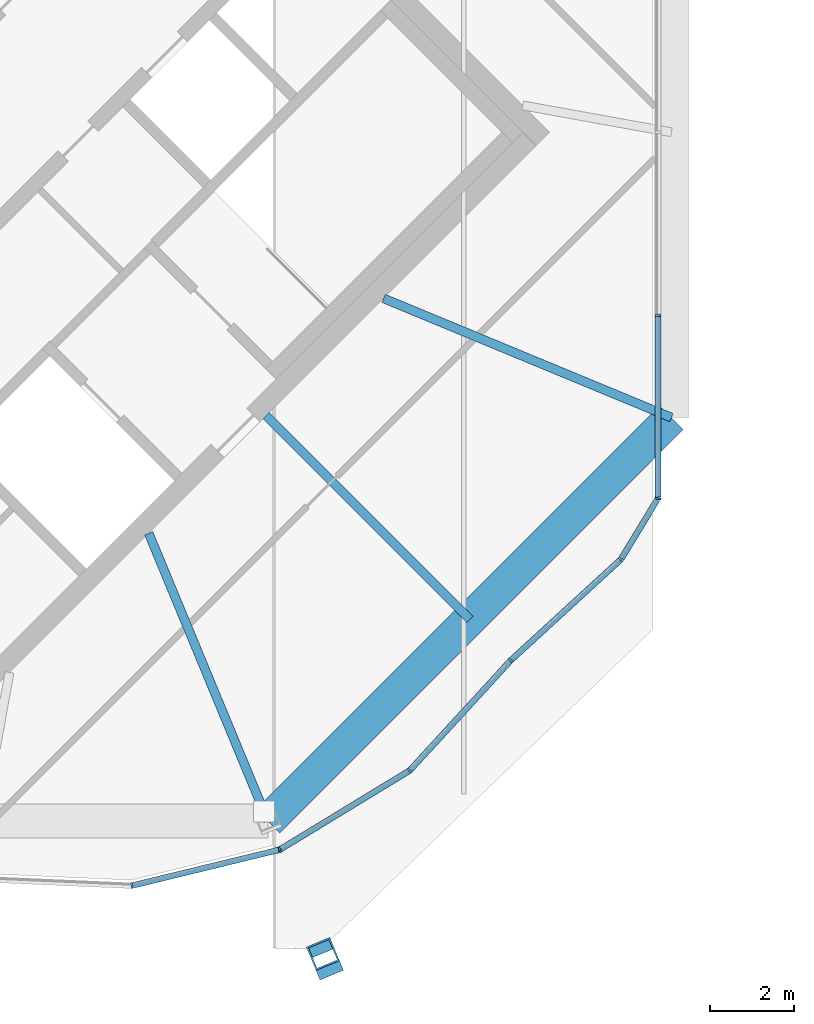
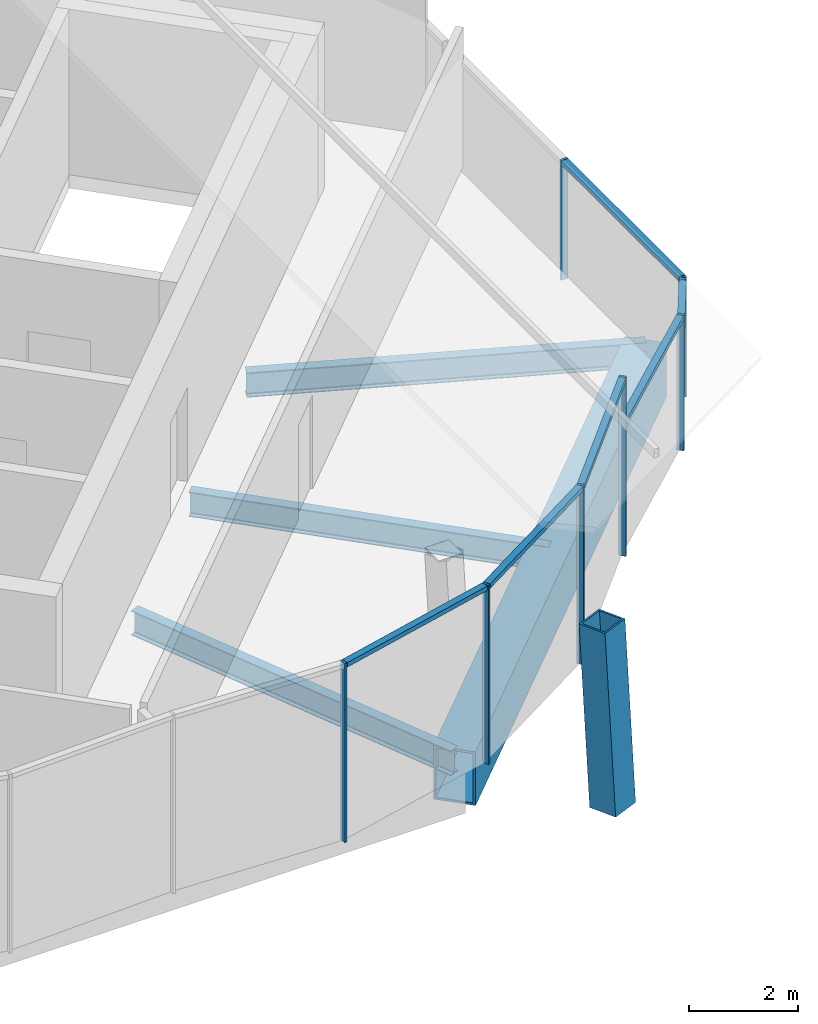
# One storey, part 13 of 23: 14 members, 4 beams, 3 elements without a shape of their own.
"""IFC4 building model written with IfcOpenShell, lengths in metres."""

from ifc_helpers import new_model, si_unit, direction, frame, origin, origin_2d, place, context, subcontext, project, spatial, rectangle, hollow_rectangle, i_section, extrude, material, material_profile, profile_set, type_object, element, aggregate, save


model = new_model("IFC4")

# Units and contexts
model_context = context("Model", 3, precision=1e-05, world=origin(), true_north=direction((0.0, 1.0)))
body_context = subcontext(model_context, "Body", "Model", "MODEL_VIEW")
ifc_project = project(units=[si_unit("LENGTHUNIT", "METRE"), si_unit("AREAUNIT", "SQUARE_METRE"), si_unit("VOLUMEUNIT", "CUBIC_METRE"), si_unit("PLANEANGLEUNIT", "RADIAN"), si_unit("MASSUNIT", "GRAM", prefix="KILO")], contexts=[model_context])

# Site, building, storey
site_placement = place(None, origin())
site = spatial("IfcSite", under=ifc_project, at=site_placement, CompositionType="ELEMENT")
building_placement = place(site_placement, origin())
building = spatial("IfcBuilding", under=site, at=building_placement, Name="Ogive Gate Towers", CompositionType="ELEMENT")
storey_placement = place(building_placement, frame((0.0, 0.0, 302.0)))
storey = spatial("IfcBuildingStorey", under=building, at=storey_placement, Name="L71", CompositionType="ELEMENT", Elevation=302.0)

# Curtain wall, members
ifc_material_1 = material(Name="Pale metal aluminium", Category="aluminium")
curtain_wall_type = type_object("IfcCurtainWallType", Name="Crown lean wall", PredefinedType="NOTDEFINED", material=ifc_material_1)
curtain_wall_1_placement = place(storey_placement, origin())
curtain_wall_1 = element("IfcCurtainWall", 1, at=curtain_wall_1_placement, inside=storey, type_object=curtain_wall_type, Name="CW5 T2 ECW07", PredefinedType="NOTDEFINED")
ifc_material_profile_1 = material_profile(ifc_material_1, rectangle(XDim=0.139892578125, YDim=0.050048828125, at=origin_2d()), Name="50 x 140 aluminium box")
ifc_profile_set_1 = profile_set([ifc_material_profile_1], Name="Pale metal aluminium")
member_type_1 = type_object("IfcMemberType", Name="Crown lean wall mullion 50 x 140", PredefinedType="MULLION", material=ifc_profile_set_1)
member_1_placement = place(storey_placement, frame((48.51318359375, -12.511474609375, -0.300048828125), z_axis=(0.0, 0.0, 1.0), x_axis=(-0.737088647689, 0.675796067943, 0.0)))
member_1 = element("IfcMember", 2, at=member_1_placement, type_object=member_type_1, Name="CW5 mullion", PredefinedType="MULLION", context=body_context, shape_type="SweptSolid", body=[
    extrude(rectangle(XDim=0.139892578125, YDim=0.050048828125, at=origin_2d()), origin(), (0.0, 0.0, 1.0), 4.0),
])
member_2_placement = place(storey_placement, frame((46.119384765625, -15.12158203125, -0.300048828125), z_axis=(0.0, 0.0, 1.0), x_axis=(-0.634784458636, 0.772689259065, 0.0)))
member_2 = element("IfcMember", 3, at=member_2_placement, type_object=member_type_1, Name="CW5 mullion", PredefinedType="MULLION", context=body_context, shape_type="SweptSolid", body=[
    extrude(rectangle(XDim=0.139892578125, YDim=0.050048828125, at=origin_2d()), origin(), (0.0, 0.0, 1.0), 4.0),
])
member_3_placement = place(storey_placement, frame((43.039794921875, -16.995849609375, -0.300048828125), z_axis=(0.0, 0.0, 1.0), x_axis=(-0.382683432365, 0.923879532511, 0.0)))
member_3 = element("IfcMember", 4, at=member_3_placement, type_object=member_type_1, Name="CW5 mullion", PredefinedType="MULLION", context=body_context, shape_type="SweptSolid", body=[
    extrude(rectangle(XDim=0.139892578125, YDim=0.050048828125, at=origin_2d()), origin(), (0.0, 0.0, 1.0), 4.0),
])
member_4_placement = place(storey_placement, frame((39.537109375, -17.848388671875, -0.300048828125), z_axis=(0.0, 0.0, 1.0), x_axis=(-0.097513419542, 0.995234210128, 0.0)))
member_4 = element("IfcMember", 5, at=member_4_placement, type_object=member_type_1, Name="CW5 mullion", PredefinedType="MULLION", context=body_context, shape_type="SweptSolid", body=[
    extrude(rectangle(XDim=0.139892578125, YDim=0.050048828125, at=origin_2d()), origin(), (0.0, 0.0, 1.0), 4.0),
])

# Curtain wall, member
curtain_wall_2_placement = place(storey_placement, origin())
curtain_wall_2 = element("IfcCurtainWall", 6, at=curtain_wall_2_placement, inside=storey, type_object=curtain_wall_type, Name="CW5 T2 ECW08", PredefinedType="NOTDEFINED")
member_5_placement = place(storey_placement, frame((51.118896484375, -10.12255859375, -0.300048828125), z_axis=(0.0, 0.0, 1.0), x_axis=(-0.675796067943, 0.737088647689, 0.0)))
member_5 = element("IfcMember", 7, at=member_5_placement, type_object=member_type_1, Name="CW5 mullion", PredefinedType="MULLION", context=body_context, shape_type="SweptSolid", body=[
    extrude(rectangle(XDim=0.139892578125, YDim=0.050048828125, at=origin_2d()), origin(), (0.0, 0.0, 1.0), 3.025390625),
])

# Curtain wall, members
curtain_wall_3_placement = place(storey_placement, origin())
curtain_wall_3 = element("IfcCurtainWall", 8, at=curtain_wall_3_placement, inside=storey, type_object=curtain_wall_type, Name="CW5 T2 ECW08b", PredefinedType="NOTDEFINED")
member_6_placement = place(storey_placement, frame((52.00048828125, -4.333740234375, -0.300048828125), z_axis=(0.0, 0.0, 1.0), x_axis=(-1.0, 0.0, 0.0)))
member_6 = element("IfcMember", 9, at=member_6_placement, type_object=member_type_1, Name="CW5 mullion", PredefinedType="MULLION", context=body_context, shape_type="SweptSolid", body=[
    extrude(rectangle(XDim=0.139892578125, YDim=0.050048828125, at=origin_2d()), origin(), (0.0, 0.0, 1.0), 2.679931640625),
])
member_7_placement = place(storey_placement, frame((51.99951171875, -8.67578125, -0.300048828125), z_axis=(0.0, 0.0, 1.0), x_axis=(-0.962866291826, 0.269978710392, 0.0)))
member_7 = element("IfcMember", 10, at=member_7_placement, type_object=member_type_1, Name="CW5 mullion", PredefinedType="MULLION", context=body_context, shape_type="SweptSolid", body=[
    extrude(rectangle(XDim=0.139892578125, YDim=0.050048828125, at=origin_2d()), origin(), (0.0, 0.0, 1.0), 2.679931640625),
])

# Member
ifc_material_profile_2 = material_profile(ifc_material_1, rectangle(XDim=0.139892578125, YDim=0.10009765625, at=origin_2d()), Name="100 x 140 aluminium box")
ifc_profile_set_2 = profile_set([ifc_material_profile_2], Name="Pale metal aluminium")
member_type_2 = type_object("IfcMemberType", Name="Crown lean wall transom 100 x 140", PredefinedType="USERDEFINED", material=ifc_profile_set_2)
member_8_placement = place(storey_placement, frame((48.496337890625, -12.52978515625, 3.64990234375), z_axis=(-0.675816552763, -0.73706986576, 0.0), x_axis=(0.73706986576, -0.675816552763, 0.0)))
member_8 = element("IfcMember", 11, at=member_8_placement, type_object=member_type_2, Name="CW5 transom", ObjectType="TRANSOM", PredefinedType="USERDEFINED", context=body_context, shape_type="SweptSolid", body=[
    extrude(rectangle(XDim=0.139892578125, YDim=0.10009765625, at=origin_2d()), origin(), (0.0, 0.0, 1.0), 3.487548828125),
])

member_9_placement = place(storey_placement, frame((46.0947265625, -15.13720703125, 3.64990234375), z_axis=(-0.854250400088, -0.51986176427, 0.0), x_axis=(0.51986176427, -0.854250400088, 0.0)))
member_9 = element("IfcMember", 12, at=member_9_placement, type_object=member_type_2, Name="CW5 transom", ObjectType="TRANSOM", PredefinedType="USERDEFINED", context=body_context, shape_type="SweptSolid", body=[
    extrude(rectangle(XDim=0.139892578125, YDim=0.10009765625, at=origin_2d()), origin(), (0.0, 0.0, 1.0), 3.546142578125),
])

member_10_placement = place(storey_placement, frame((43.01123046875, -17.00341796875, 3.64990234375), z_axis=(-0.971665893782, -0.236358606487, 0.0), x_axis=(0.236358606487, -0.971665893782, 0.0)))
member_10 = element("IfcMember", 13, at=member_10_placement, type_object=member_type_2, Name="CW5 transom", ObjectType="TRANSOM", PredefinedType="USERDEFINED", context=body_context, shape_type="SweptSolid", body=[
    extrude(rectangle(XDim=0.139892578125, YDim=0.10009765625, at=origin_2d()), origin(), (0.0, 0.0, 1.0), 3.546142578125),
])

aggregate(curtain_wall_1, [member_1, member_2, member_8, member_3, member_9, member_4, member_10])

member_11_placement = place(storey_placement, frame((51.100341796875, -10.139404296875, 2.67529296875), z_axis=(-0.73706986576, -0.675816552763, 0.0), x_axis=(0.675816552763, -0.73706986576, 0.0)))
member_11 = element("IfcMember", 14, at=member_11_placement, type_object=member_type_2, Name="CW5 transom", ObjectType="TRANSOM", PredefinedType="USERDEFINED", context=body_context, shape_type="SweptSolid", body=[
    extrude(rectangle(XDim=0.139892578125, YDim=0.10009765625, at=origin_2d()), origin(), (0.0, 0.0, 1.0), 3.487548828125),
])

aggregate(curtain_wall_2, [member_5, member_11])

member_12_placement = place(storey_placement, frame((52.00048828125, -4.35888671875, 2.330078125), z_axis=(0.0, -1.0, 0.0), x_axis=(1.0, 0.0, 0.0)))
member_12 = element("IfcMember", 15, at=member_12_placement, type_object=member_type_2, Name="CW5 transom", ObjectType="TRANSOM", PredefinedType="USERDEFINED", context=body_context, shape_type="SweptSolid", body=[
    extrude(rectangle(XDim=0.139892578125, YDim=0.10009765625, at=origin_2d()), origin(), (0.0, 0.0, 1.0), 4.28369140625),
])

member_13_placement = place(storey_placement, frame((51.983154296875, -8.70458984375, 2.285400390625), z_axis=(-0.519846993653, -0.854259388704, 0.0), x_axis=(0.854259388704, -0.519846993653, 0.0)))
member_13 = element("IfcMember", 16, at=member_13_placement, type_object=member_type_2, Name="CW5 transom", ObjectType="TRANSOM", PredefinedType="USERDEFINED", context=body_context, shape_type="SweptSolid", body=[
    extrude(rectangle(XDim=0.139892578125, YDim=0.10009765625, at=origin_2d()), origin(), (0.0, 0.0, 1.0), 1.627197265625),
])

aggregate(curtain_wall_3, [member_6, member_7, member_12, member_13])

ifc_material_2 = material(Name="Steel SM460", Category="steel")
ifc_material_profile_3 = material_profile(ifc_material_2, hollow_rectangle(XDim=0.60009765625, YDim=0.60009765625, WallThickness=0.0400390625, at=origin_2d()), Name="BX 600x600x40")
ifc_profile_set_3 = profile_set([ifc_material_profile_3], Name="Steel SM460")
member_type_3 = type_object("IfcMemberType", Name="Crown rib BX 600x600x40", PredefinedType="MEMBER", material=ifc_profile_set_3)
member_14_placement = place(storey_placement, frame((44.1572265625, -19.693115234375, 0.0), z_axis=(-0.02339375174, 0.056413057581, 0.998133407573), x_axis=(-0.923724896159, -0.383056544411, 0.0)))
element("IfcMember", 17, at=member_14_placement, inside=storey, type_object=member_type_3, Name="T2/L71/STR006", PredefinedType="MEMBER", context=body_context, shape_type="SweptSolid", body=[
    extrude(hollow_rectangle(XDim=0.60009765625, YDim=0.60009765625, WallThickness=0.0400390625, at=origin_2d()), origin(), (0.0, 0.0, 1.0), 4.007568359375),
])

# Beams
ifc_material_profile_4 = material_profile(ifc_material_2, hollow_rectangle(XDim=0.800048828125, YDim=1.199951171875, WallThickness=0.050048828125, at=origin_2d()), Name="BX 1200x800x50")
ifc_profile_set_4 = profile_set([ifc_material_profile_4], Name="Steel SM460")
beam_type_1 = type_object("IfcBeamType", Name="Edge girder BX 1200x800x50", PredefinedType="BEAM", material=ifc_profile_set_4)
beam_1_placement = place(storey_placement, frame((42.760009765625, -16.3203125, -0.89990234375), z_axis=(0.707106781187, 0.707106781187, 0.0), x_axis=(-0.707106781187, 0.707106781187, 0.0)))
element("IfcBeam", 18, at=beam_1_placement, inside=storey, type_object=beam_type_1, Name="T2/L71/SBM019", PredefinedType="BEAM", context=body_context, shape_type="SweptSolid", body=[
    extrude(hollow_rectangle(XDim=0.800048828125, YDim=1.199951171875, WallThickness=0.050048828125, at=origin_2d()), origin(), (0.0, 0.0, 1.0), 13.520263671875),
])
ifc_material_3 = material(Name="Steel SM355", Category="steel")
ifc_material_profile_5 = material_profile(ifc_material_3, i_section(OverallWidth=0.2099609375, OverallDepth=0.550048828125, WebThickness=0.010986328125, FlangeThickness=0.01708984375, FilletRadius=0.02392578125, at=origin_2d()), Name="IPE 550")
ifc_profile_set_5 = profile_set([ifc_material_profile_5], Name="Steel SM355")
beam_type_2 = type_object("IfcBeamType", Name="Radial floor beam IPE 550", PredefinedType="BEAM", material=ifc_profile_set_5)
beam_2_placement = place(storey_placement, frame((39.93505859375, -9.5, -0.574951171875), z_axis=(0.38267016282, -0.923885028825, 0.0), x_axis=(0.923885028825, 0.38267016282, 0.0)))
element("IfcBeam", 19, at=beam_2_placement, inside=storey, type_object=beam_type_2, Name="T2/L71/SBM005", PredefinedType="BEAM", context=body_context, shape_type="SweptSolid", body=[
    extrude(i_section(OverallWidth=0.2099609375, OverallDepth=0.550048828125, WebThickness=0.010986328125, FlangeThickness=0.01708984375, FilletRadius=0.02392578125, at=origin_2d()), origin(), (0.0, 0.0, 1.0), 7.38232421875),
])
beam_3_placement = place(storey_placement, frame((42.717529296875, -6.717529296875, -0.574951171875), z_axis=(0.707106781187, -0.707106781187, 0.0), x_axis=(0.707106781187, 0.707106781187, 0.0)))
element("IfcBeam", 20, at=beam_3_placement, inside=storey, type_object=beam_type_2, Name="T2/L71/SBM006", PredefinedType="BEAM", context=body_context, shape_type="SweptSolid", body=[
    extrude(i_section(OverallWidth=0.2099609375, OverallDepth=0.550048828125, WebThickness=0.010986328125, FlangeThickness=0.01708984375, FilletRadius=0.02392578125, at=origin_2d()), origin(), (0.0, 0.0, 1.0), 6.8203125),
])
beam_4_placement = place(storey_placement, frame((45.5, -3.93505859375, -0.574951171875), z_axis=(0.923885028825, -0.38267016282, 0.0), x_axis=(0.38267016282, 0.923885028825, 0.0)))
element("IfcBeam", 21, at=beam_4_placement, inside=storey, type_object=beam_type_2, Name="T2/L71/SBM007", PredefinedType="BEAM", context=body_context, shape_type="SweptSolid", body=[
    extrude(i_section(OverallWidth=0.2099609375, OverallDepth=0.550048828125, WebThickness=0.010986328125, FlangeThickness=0.01708984375, FilletRadius=0.02392578125, at=origin_2d()), origin(), (0.0, 0.0, 1.0), 7.38232421875),
])

save(model, "model.ifc")
